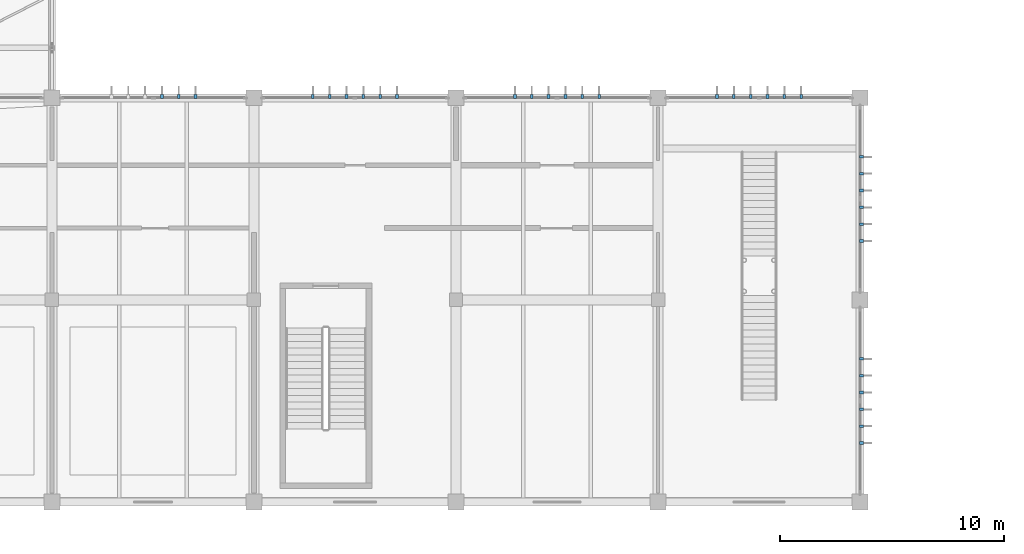
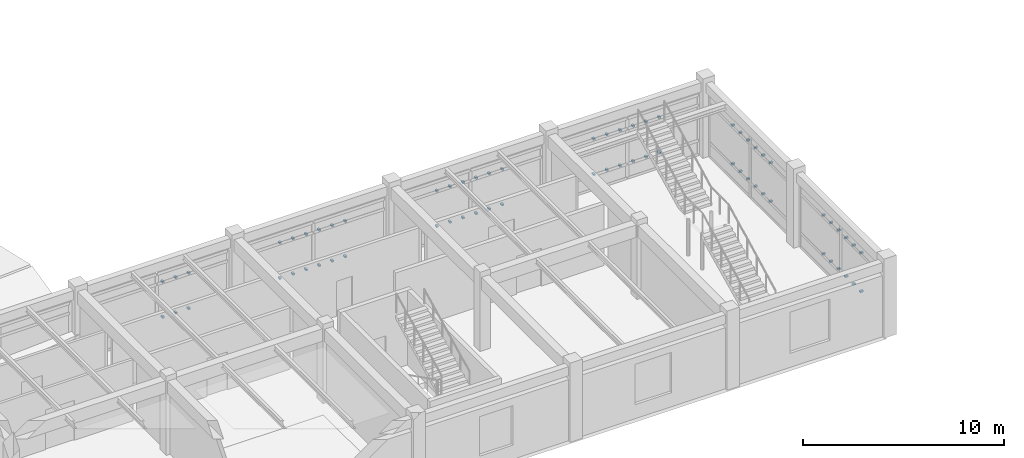
# One storey, part 54 of 61: 66 discrete accessories.
"""IFC4 building model written with IfcOpenShell, lengths in metres."""

from ifc_helpers import new_model, si_unit, direction, frame, origin, origin_2d, place, context, subcontext, project, spatial, rectangle, extrude, material, type_object, element, save


model = new_model("IFC4")

# Units and contexts
model_context = context("Model", 3, precision=1e-05, world=origin(), true_north=direction((0.0, 1.0)))
body_context = subcontext(model_context, "Body", "Model", "MODEL_VIEW")
ifc_project = project(units=[si_unit("LENGTHUNIT", "METRE"), si_unit("AREAUNIT", "SQUARE_METRE"), si_unit("VOLUMEUNIT", "CUBIC_METRE"), si_unit("PLANEANGLEUNIT", "RADIAN"), si_unit("MASSUNIT", "GRAM", prefix="KILO")], contexts=[model_context])

# Site, building, storey
site_placement = place(None, origin())
site = spatial("IfcSite", under=ifc_project, at=site_placement, CompositionType="ELEMENT")
building_placement = place(site_placement, origin())
building = spatial("IfcBuilding", under=site, at=building_placement, Name="Bozkorgan Art Gallery", CompositionType="ELEMENT")
storey_placement = place(building_placement, frame((0.0, 0.0, 10.199951171875)))
storey = spatial("IfcBuildingStorey", under=building, at=storey_placement, Name="L02", CompositionType="ELEMENT", Elevation=10.199951171875)

# Discrete accessories
ifc_material = material(Name="Steel S355J2", Category="steel")
discrete_accessory_type = type_object("IfcDiscreteAccessoryType", Name="ACC-BRK-01", PredefinedType="BRACKET", material=ifc_material)
for number, where, z_axis, x_axis, name in (
    (1, (33.89990234375, 20.06005859375, 0.8701171875), (0.0, 0.0, 1.0), (0.0, 1.0, 0.0), "CW-V1-L02-1N-08 solar fin bracket 4B"),
    (2, (33.89990234375, 20.06005859375, 3.014892578125), (0.0, 0.0, 1.0), (0.0, 1.0, 0.0), "CW-V1-L02-1N-08 solar fin bracket 4T"),
    (3, (34.64990234375, 20.06005859375, 0.8701171875), (0.0, 0.0, 1.0), (0.0, 1.0, 0.0), "CW-V1-L02-1N-08 solar fin bracket 5B"),
    (4, (34.64990234375, 20.06005859375, 3.014892578125), (0.0, 0.0, 1.0), (0.0, 1.0, 0.0), "CW-V1-L02-1N-08 solar fin bracket 5T"),
    (5, (35.39990234375, 20.06005859375, 0.8701171875), (0.0, 0.0, 1.0), (0.0, 1.0, 0.0), "CW-V1-L02-1N-08 solar fin bracket 6B"),
    (6, (35.39990234375, 20.06005859375, 3.014892578125), (0.0, 0.0, 1.0), (0.0, 1.0, 0.0), "CW-V1-L02-1N-08 solar fin bracket 6T"),
    (7, (40.625, 20.06005859375, 0.8701171875), (0.0, 0.0, 1.0), (0.0, 1.0, 0.0), "CW-V1-L02-1N-10 solar fin bracket 1B"),
    (8, (40.625, 20.06005859375, 3.014892578125), (0.0, 0.0, 1.0), (0.0, 1.0, 0.0), "CW-V1-L02-1N-10 solar fin bracket 1T"),
    (9, (41.375, 20.06005859375, 0.8701171875), (0.0, 0.0, 1.0), (0.0, 1.0, 0.0), "CW-V1-L02-1N-10 solar fin bracket 2B"),
    (10, (41.375, 20.06005859375, 3.014892578125), (0.0, 0.0, 1.0), (0.0, 1.0, 0.0), "CW-V1-L02-1N-10 solar fin bracket 2T"),
    (11, (42.125, 20.06005859375, 0.8701171875), (0.0, 0.0, 1.0), (0.0, 1.0, 0.0), "CW-V1-L02-1N-10 solar fin bracket 3B"),
    (12, (42.125, 20.06005859375, 3.014892578125), (0.0, 0.0, 1.0), (0.0, 1.0, 0.0), "CW-V1-L02-1N-10 solar fin bracket 3T"),
    (13, (42.875, 20.06005859375, 0.8701171875), (0.0, 0.0, 1.0), (0.0, 1.0, 0.0), "CW-V1-L02-1N-10 solar fin bracket 4B"),
    (14, (42.875, 20.06005859375, 3.014892578125), (0.0, 0.0, 1.0), (0.0, 1.0, 0.0), "CW-V1-L02-1N-10 solar fin bracket 4T"),
    (15, (43.625, 20.06005859375, 0.8701171875), (0.0, 0.0, 1.0), (0.0, 1.0, 0.0), "CW-V1-L02-1N-10 solar fin bracket 5B"),
    (16, (43.625, 20.06005859375, 3.014892578125), (0.0, 0.0, 1.0), (0.0, 1.0, 0.0), "CW-V1-L02-1N-10 solar fin bracket 5T"),
    (17, (44.375, 20.06005859375, 0.8701171875), (0.0, 0.0, 1.0), (0.0, 1.0, 0.0), "CW-V1-L02-1N-10 solar fin bracket 6B"),
    (18, (44.375, 20.06005859375, 3.014892578125), (0.0, 0.0, 1.0), (0.0, 1.0, 0.0), "CW-V1-L02-1N-10 solar fin bracket 6T"),
    (19, (49.625, 20.06005859375, 0.8701171875), (0.0, 0.0, 1.0), (0.0, 1.0, 0.0), "CW-V1-L02-1N-12 solar fin bracket 1B"),
    (20, (49.625, 20.06005859375, 3.014892578125), (0.0, 0.0, 1.0), (0.0, 1.0, 0.0), "CW-V1-L02-1N-12 solar fin bracket 1T"),
    (21, (50.375, 20.06005859375, 0.8701171875), (0.0, 0.0, 1.0), (0.0, 1.0, 0.0), "CW-V1-L02-1N-12 solar fin bracket 2B"),
    (22, (50.375, 20.06005859375, 3.014892578125), (0.0, 0.0, 1.0), (0.0, 1.0, 0.0), "CW-V1-L02-1N-12 solar fin bracket 2T"),
    (23, (51.125, 20.06005859375, 0.8701171875), (0.0, 0.0, 1.0), (0.0, 1.0, 0.0), "CW-V1-L02-1N-12 solar fin bracket 3B"),
    (24, (51.125, 20.06005859375, 3.014892578125), (0.0, 0.0, 1.0), (0.0, 1.0, 0.0), "CW-V1-L02-1N-12 solar fin bracket 3T"),
    (25, (51.875, 20.06005859375, 0.8701171875), (0.0, 0.0, 1.0), (0.0, 1.0, 0.0), "CW-V1-L02-1N-12 solar fin bracket 4B"),
    (26, (51.875, 20.06005859375, 3.014892578125), (0.0, 0.0, 1.0), (0.0, 1.0, 0.0), "CW-V1-L02-1N-12 solar fin bracket 4T"),
    (27, (52.625, 20.06005859375, 0.8701171875), (0.0, 0.0, 1.0), (0.0, 1.0, 0.0), "CW-V1-L02-1N-12 solar fin bracket 5B"),
    (28, (52.625, 20.06005859375, 3.014892578125), (0.0, 0.0, 1.0), (0.0, 1.0, 0.0), "CW-V1-L02-1N-12 solar fin bracket 5T"),
    (29, (53.375, 20.06005859375, 0.8701171875), (0.0, 0.0, 1.0), (0.0, 1.0, 0.0), "CW-V1-L02-1N-12 solar fin bracket 6B"),
    (30, (53.375, 20.06005859375, 3.014892578125), (0.0, 0.0, 1.0), (0.0, 1.0, 0.0), "CW-V1-L02-1N-12 solar fin bracket 6T"),
    (31, (58.625, 20.06005859375, 0.8701171875), (0.0, 0.0, 1.0), (0.0, 1.0, 0.0), "CW-V1-L02-1N-14 solar fin bracket 1B"),
    (32, (58.625, 20.06005859375, 3.014892578125), (0.0, 0.0, 1.0), (0.0, 1.0, 0.0), "CW-V1-L02-1N-14 solar fin bracket 1T"),
    (33, (59.375, 20.06005859375, 0.8701171875), (0.0, 0.0, 1.0), (0.0, 1.0, 0.0), "CW-V1-L02-1N-14 solar fin bracket 2B"),
    (34, (59.375, 20.06005859375, 3.014892578125), (0.0, 0.0, 1.0), (0.0, 1.0, 0.0), "CW-V1-L02-1N-14 solar fin bracket 2T"),
    (35, (60.125, 20.06005859375, 0.8701171875), (0.0, 0.0, 1.0), (0.0, 1.0, 0.0), "CW-V1-L02-1N-14 solar fin bracket 3B"),
    (36, (60.125, 20.06005859375, 3.014892578125), (0.0, 0.0, 1.0), (0.0, 1.0, 0.0), "CW-V1-L02-1N-14 solar fin bracket 3T"),
    (37, (60.875, 20.06005859375, 0.8701171875), (0.0, 0.0, 1.0), (0.0, 1.0, 0.0), "CW-V1-L02-1N-14 solar fin bracket 4B"),
    (38, (60.875, 20.06005859375, 3.014892578125), (0.0, 0.0, 1.0), (0.0, 1.0, 0.0), "CW-V1-L02-1N-14 solar fin bracket 4T"),
    (39, (61.625, 20.06005859375, 0.8701171875), (0.0, 0.0, 1.0), (0.0, 1.0, 0.0), "CW-V1-L02-1N-14 solar fin bracket 5B"),
    (40, (61.625, 20.06005859375, 3.014892578125), (0.0, 0.0, 1.0), (0.0, 1.0, 0.0), "CW-V1-L02-1N-14 solar fin bracket 5T"),
    (41, (62.375, 20.06005859375, 0.8701171875), (0.0, 0.0, 1.0), (0.0, 1.0, 0.0), "CW-V1-L02-1N-14 solar fin bracket 6B"),
    (42, (62.375, 20.06005859375, 3.014892578125), (0.0, 0.0, 1.0), (0.0, 1.0, 0.0), "CW-V1-L02-1N-14 solar fin bracket 6T"),
    (43, (65.06005859375, 4.625, 0.8701171875), (0.0, 0.0, 1.0), (1.0, 0.0, 0.0), "CW-V1-L02-1E-16 solar fin bracket 1B"),
    (44, (65.06005859375, 4.625, 3.215087890625), (0.0, 0.0, 1.0), (1.0, 0.0, 0.0), "CW-V1-L02-1E-16 solar fin bracket 1T"),
    (45, (65.06005859375, 5.375, 0.8701171875), (0.0, 0.0, 1.0), (1.0, 0.0, 0.0), "CW-V1-L02-1E-16 solar fin bracket 2B"),
    (46, (65.06005859375, 5.375, 3.215087890625), (0.0, 0.0, 1.0), (1.0, 0.0, 0.0), "CW-V1-L02-1E-16 solar fin bracket 2T"),
    (47, (65.06005859375, 6.125, 0.8701171875), (0.0, 0.0, 1.0), (1.0, 0.0, 0.0), "CW-V1-L02-1E-16 solar fin bracket 3B"),
    (48, (65.06005859375, 6.125, 3.215087890625), (0.0, 0.0, 1.0), (1.0, 0.0, 0.0), "CW-V1-L02-1E-16 solar fin bracket 3T"),
    (49, (65.06005859375, 6.875, 0.8701171875), (0.0, 0.0, 1.0), (1.0, 0.0, 0.0), "CW-V1-L02-1E-16 solar fin bracket 4B"),
    (50, (65.06005859375, 6.875, 3.215087890625), (0.0, 0.0, 1.0), (1.0, 0.0, 0.0), "CW-V1-L02-1E-16 solar fin bracket 4T"),
    (51, (65.06005859375, 7.625, 0.8701171875), (0.0, 0.0, 1.0), (1.0, 0.0, 0.0), "CW-V1-L02-1E-16 solar fin bracket 5B"),
    (52, (65.06005859375, 7.625, 3.215087890625), (0.0, 0.0, 1.0), (1.0, 0.0, 0.0), "CW-V1-L02-1E-16 solar fin bracket 5T"),
    (53, (65.06005859375, 8.375, 0.8701171875), (0.0, 0.0, 1.0), (1.0, 0.0, 0.0), "CW-V1-L02-1E-16 solar fin bracket 6B"),
    (54, (65.06005859375, 8.375, 3.215087890625), (0.0, 0.0, 1.0), (1.0, 0.0, 0.0), "CW-V1-L02-1E-16 solar fin bracket 6T"),
    (55, (65.06005859375, 13.625, 0.8701171875), (0.0, 0.0, 1.0), (1.0, 0.0, 0.0), "CW-V1-L02-1E-18 solar fin bracket 1B"),
    (56, (65.06005859375, 13.625, 3.215087890625), (0.0, 0.0, 1.0), (1.0, 0.0, 0.0), "CW-V1-L02-1E-18 solar fin bracket 1T"),
    (57, (65.06005859375, 14.375, 0.8701171875), (0.0, 0.0, 1.0), (1.0, 0.0, 0.0), "CW-V1-L02-1E-18 solar fin bracket 2B"),
    (58, (65.06005859375, 14.375, 3.215087890625), (0.0, 0.0, 1.0), (1.0, 0.0, 0.0), "CW-V1-L02-1E-18 solar fin bracket 2T"),
    (59, (65.06005859375, 15.125, 0.8701171875), (0.0, 0.0, 1.0), (1.0, 0.0, 0.0), "CW-V1-L02-1E-18 solar fin bracket 3B"),
    (60, (65.06005859375, 15.125, 3.215087890625), (0.0, 0.0, 1.0), (1.0, 0.0, 0.0), "CW-V1-L02-1E-18 solar fin bracket 3T"),
    (61, (65.06005859375, 15.875, 0.8701171875), (0.0, 0.0, 1.0), (1.0, 0.0, 0.0), "CW-V1-L02-1E-18 solar fin bracket 4B"),
    (62, (65.06005859375, 15.875, 3.215087890625), (0.0, 0.0, 1.0), (1.0, 0.0, 0.0), "CW-V1-L02-1E-18 solar fin bracket 4T"),
    (63, (65.06005859375, 16.625, 0.8701171875), (0.0, 0.0, 1.0), (1.0, 0.0, 0.0), "CW-V1-L02-1E-18 solar fin bracket 5B"),
    (64, (65.06005859375, 16.625, 3.215087890625), (0.0, 0.0, 1.0), (1.0, 0.0, 0.0), "CW-V1-L02-1E-18 solar fin bracket 5T"),
    (65, (65.06005859375, 17.375, 0.8701171875), (0.0, 0.0, 1.0), (1.0, 0.0, 0.0), "CW-V1-L02-1E-18 solar fin bracket 6B"),
    (66, (65.06005859375, 17.375, 3.215087890625), (0.0, 0.0, 1.0), (1.0, 0.0, 0.0), "CW-V1-L02-1E-18 solar fin bracket 6T"),
):
    element("IfcDiscreteAccessory", number, at=place(storey_placement, frame(where, z_axis=z_axis, x_axis=x_axis)), inside=storey, type_object=discrete_accessory_type, Name=name, PredefinedType="BRACKET", context=body_context, shape_type="SweptSolid", body=[
        extrude(rectangle(XDim=0.179931640625, YDim=0.1201171875, at=origin_2d()), origin(), (0.0, 0.0, 1.0), 0.10009765625),
    ])

save(model, "model.ifc")
